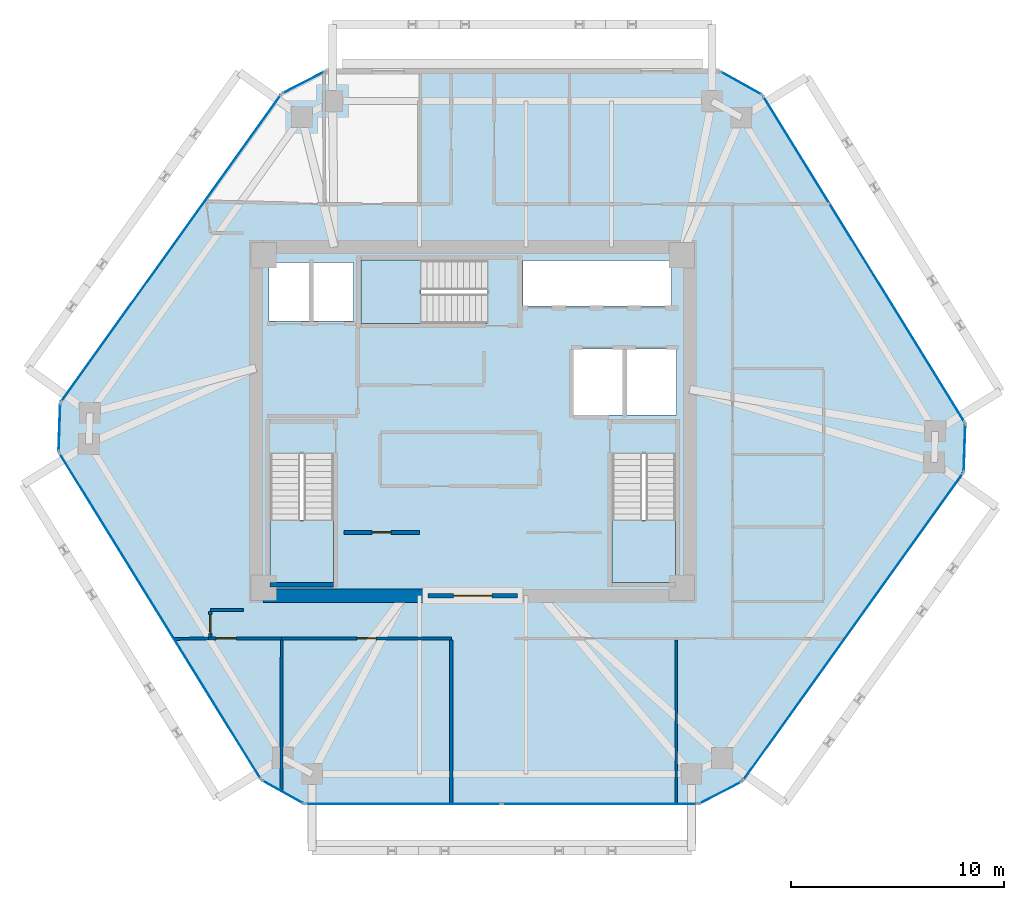
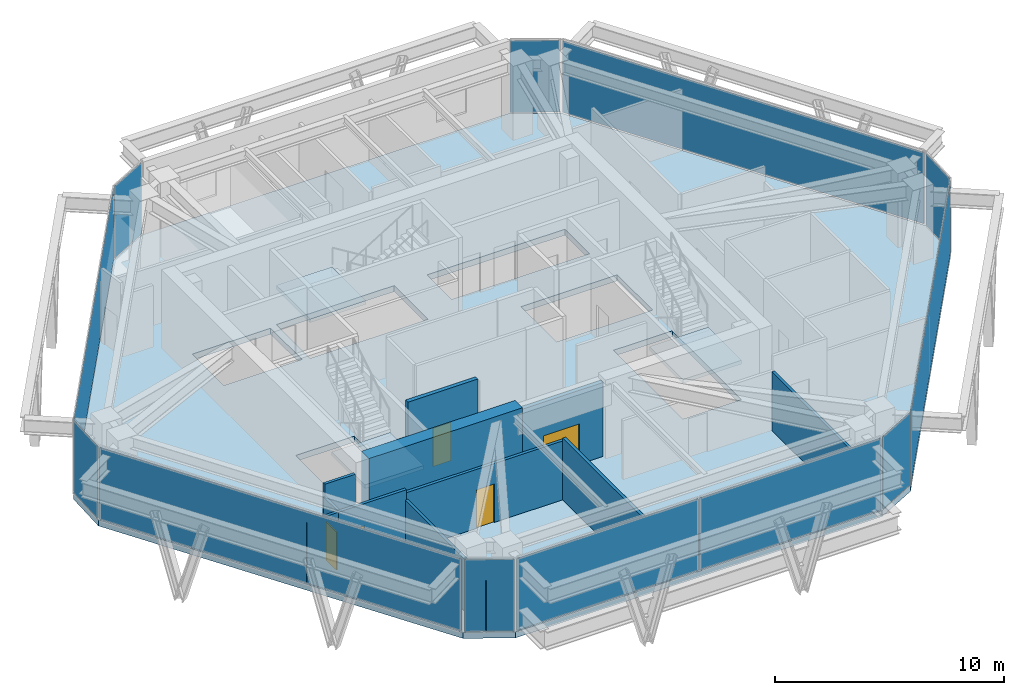
# One storey, part 7 of 11: 12 plates, 12 walls, 5 doors, 4 slabs, 5 openings, 14 elements without a shape of their own.
"""IFC4 building model written with IfcOpenShell, lengths in metres."""

from ifc_helpers import new_model, si_unit, direction, frame, frame_2d, origin, origin_2d, place, context, subcontext, project, spatial, polyline, rectangle, outline, extrude, source, transform, mapped, material, layer, layer_set, type_object, type_shapes, element, fill, aggregate, save


model = new_model("IFC4")

# Units and contexts
model_context = context("Model", 3, precision=1e-05, world=origin(), true_north=direction((0.0, 1.0)))
body_context = subcontext(model_context, "Body", "Model", "MODEL_VIEW")
ifc_project = project(units=[si_unit("LENGTHUNIT", "METRE"), si_unit("AREAUNIT", "SQUARE_METRE"), si_unit("VOLUMEUNIT", "CUBIC_METRE"), si_unit("PLANEANGLEUNIT", "RADIAN"), si_unit("MASSUNIT", "GRAM", prefix="KILO")], contexts=[model_context])

# Site, building, storey
site_placement = place(None, origin())
site = spatial("IfcSite", under=ifc_project, at=site_placement, CompositionType="ELEMENT")
building_placement = place(site_placement, origin())
building = spatial("IfcBuilding", under=site, at=building_placement, Name="Durnholm Broadcast Tower", CompositionType="ELEMENT")
storey_placement = place(building_placement, frame((0.0, 0.0, 155.10009765625)))
storey = spatial("IfcBuildingStorey", under=building, at=storey_placement, Name="L42", CompositionType="ELEMENT", Elevation=155.10009765625)

# Slab
ifc_material_1 = material(Name="Concrete C50/60", Category="concrete")
ifc_layer_1 = layer(ifc_material_1, 0.320068359375)
ifc_layer_set_1 = layer_set([ifc_layer_1], Name="Concrete C50/60")
slab_type_1 = type_object("IfcSlabType", Name="SLAB-FLR-320", PredefinedType="FLOOR", material=ifc_layer_set_1)
slab_1_placement = place(storey_placement, frame((0.0, 0.0, -0.320068359375)))
element("IfcSlab", 1, at=slab_1_placement, inside=storey, type_object=slab_type_1, Name="L42 structural floor slab", PredefinedType="FLOOR", context=body_context, shape_type="SweptSolid", body=[
    extrude(outline(polyline([(-9.912353515625, -16.822021484375), (-7.9033203125, -17.94189453125), (10.59521484375, -17.94189453125), (12.64111328125, -16.890625), (23.022705078125, -2.390380859375), (23.1005859375, -0.091552734375), (13.59033203125, 15.2978515625), (11.581298828125, 16.41796875), (-6.917236328125, 16.41796875), (-8.962890625, 15.36669921875), (-19.3447265625, 0.8662109375), (-19.422607421875, -1.432373046875), (-9.912353515625, -16.822021484375)]), holes=[polyline([(-6.5400390625, -1.5), (-9.5, -1.5), (-9.5, -7.550048828125), (-6.5400390625, -7.550048828125), (-6.5400390625, -1.5)]), polyline([(9.5, -7.550048828125), (9.5, -1.5), (6.5400390625, -1.5), (6.5400390625, -7.550048828125), (9.5, -7.550048828125)]), polyline([(9.550048828125, 3.39990234375), (4.699951171875, 3.39990234375), (4.699951171875, 0.300048828125), (9.550048828125, 0.300048828125), (9.550048828125, 3.39990234375)]), polyline([(-9.550048828125, 7.449951171875), (-9.550048828125, 4.699951171875), (-5.60009765625, 4.699951171875), (-5.60009765625, 7.449951171875), (-9.550048828125, 7.449951171875)]), polyline([(-5.25, 4.60009765625), (0.699951171875, 4.60009765625), (0.699951171875, 7.56005859375), (-5.25, 7.56005859375), (-5.25, 4.60009765625)]), polyline([(9.31005859375, 7.550048828125), (2.35009765625, 7.550048828125), (2.35009765625, 5.39990234375), (9.31005859375, 5.39990234375), (9.31005859375, 7.550048828125)])]), origin(), (0.0, 0.0, 1.0), 0.320068359375),
])

# Stair, slab
stair_type = type_object("IfcStairType", Name="STAIR-DL-24R1750", PredefinedType="HALF_TURN_STAIR", material=ifc_material_1)
stair_1_placement = place(storey_placement, origin())
stair_1 = element("IfcStair", 2, at=stair_1_placement, inside=storey, type_object=stair_type, Name="L42 ST-1", PredefinedType="HALF_TURN_STAIR")
ifc_layer_2 = layer(ifc_material_1, 0.199951171875)
ifc_layer_set_2 = layer_set([ifc_layer_2], Name="Concrete C50/60")
slab_type_2 = type_object("IfcSlabType", Name="SLAB-LND-200", PredefinedType="LANDING", material=ifc_layer_set_2)
slab_2_placement = place(storey_placement, frame((0.0, 0.0, 1.89990234375)))
slab_2 = element("IfcSlab", 3, at=slab_2_placement, type_object=slab_type_2, Name="ST-1 landing 1", PredefinedType="LANDING", context=body_context, shape_type="SweptSolid", body=[
    extrude(outline(polyline([(-9.5, -4.635009765625), (-9.5, -7.550048828125), (-6.5400390625, -7.550048828125), (-6.5400390625, -4.635009765625), (-9.5, -4.635009765625)])), origin(), (0.0, 0.0, 1.0), 0.199951171875),
])
aggregate(stair_1, [slab_2])

stair_2_placement = place(storey_placement, origin())
stair_2 = element("IfcStair", 4, at=stair_2_placement, inside=storey, type_object=stair_type, Name="L42 ST-2", PredefinedType="HALF_TURN_STAIR")
slab_3_placement = place(storey_placement, frame((0.0, 0.0, 1.89990234375)))
slab_3 = element("IfcSlab", 5, at=slab_3_placement, type_object=slab_type_2, Name="ST-2 landing 1", PredefinedType="LANDING", context=body_context, shape_type="SweptSolid", body=[
    extrude(outline(polyline([(6.5400390625, -4.635009765625), (6.5400390625, -7.550048828125), (9.5, -7.550048828125), (9.5, -4.635009765625), (6.5400390625, -4.635009765625)])), origin(), (0.0, 0.0, 1.0), 0.199951171875),
])
aggregate(stair_2, [slab_3])

stair_3_placement = place(storey_placement, origin())
stair_3 = element("IfcStair", 6, at=stair_3_placement, inside=storey, type_object=stair_type, Name="L42 ST-3", PredefinedType="HALF_TURN_STAIR")
slab_4_placement = place(storey_placement, frame((0.0, 0.0, 1.89990234375)))
slab_4 = element("IfcSlab", 7, at=slab_4_placement, type_object=slab_type_2, Name="ST-3 landing 1", PredefinedType="LANDING", context=body_context, shape_type="SweptSolid", body=[
    extrude(outline(polyline([(-2.43505859375, 7.56005859375), (-5.25, 7.56005859375), (-5.25, 4.60009765625), (-2.43505859375, 4.60009765625), (-2.43505859375, 7.56005859375)])), origin(), (0.0, 0.0, 1.0), 0.199951171875),
])
aggregate(stair_3, [slab_4])

# Curtain wall, plate
ifc_material_2 = material(Name="Aluminium and Solar Control IGU", Category="aluminium")
ifc_layer_3 = layer(ifc_material_2, 0.1650390625)
ifc_layer_set_3 = layer_set([ifc_layer_3], Name="Aluminium and Solar Control IGU")
curtain_wall_type_1 = type_object("IfcCurtainWallType", Name="CW-SYS-5", PredefinedType="NOTDEFINED", material=ifc_layer_set_3)
curtain_wall_1_placement = place(storey_placement, origin())
curtain_wall_1 = element("IfcCurtainWall", 8, at=curtain_wall_1_placement, inside=storey, type_object=curtain_wall_type_1, Name="L42 curtain wall CW-CORNER CW-L42-CRN-01", PredefinedType="NOTDEFINED")
ifc_material_3 = material(Name="Low-E Laminated Insulating Glass", Category="glass")
ifc_layer_4 = layer(ifc_material_3, 0.030029296875)
ifc_layer_set_4 = layer_set([ifc_layer_4], Name="Low-E Laminated Insulating Glass")
plate_type_1 = type_object("IfcPlateType", Name="CW-SYS-5-PNL", PredefinedType="CURTAIN_PANEL", material=ifc_layer_set_4)
shared_shape_1 = source(origin(), body_context, "Body", "SweptSolid", [
    extrude(rectangle(XDim=2.169921875, YDim=0.030029296875, at=origin_2d()), origin(), (0.0, 0.0, 1.0), 3.830078125),
])
plate_1_placement = place(storey_placement, frame((-19.3837890625, -0.282958984375, 0.06494140625), z_axis=(0.0, 0.0, 1.0), x_axis=(0.033912704699, 0.999424798802, 0.0)))
plate_1 = element("IfcPlate", 9, at=plate_1_placement, type_object=plate_type_1, Name="CW-CORNER panel 1.1", PredefinedType="CURTAIN_PANEL", context=body_context, shape_type="MappedRepresentation", body=[
    mapped(shared_shape_1, transform((0.0, 0.0, 0.0), x_axis=(1.0, 0.0, 0.0), y_axis=(0.0, 1.0, 0.0), z_axis=(0.0, 0.0, 1.0), scale=1.0)),
])
aggregate(curtain_wall_1, [plate_1])

curtain_wall_2_placement = place(storey_placement, origin())
curtain_wall_2 = element("IfcCurtainWall", 10, at=curtain_wall_2_placement, inside=storey, type_object=curtain_wall_type_1, Name="L42 curtain wall CW-CORNER CW-L42-CRN-03", PredefinedType="NOTDEFINED")
plate_2_placement = place(storey_placement, frame((-7.940185546875, 15.892333984375, 0.06494140625), z_axis=(0.0, 0.0, 1.0), x_axis=(0.889424679545, 0.457081764476, 0.0)))
plate_2 = element("IfcPlate", 11, at=plate_2_placement, type_object=plate_type_1, Name="CW-CORNER panel 1.1", PredefinedType="CURTAIN_PANEL", context=body_context, shape_type="MappedRepresentation", body=[
    mapped(shared_shape_1, transform((0.0, 0.0, 0.0), x_axis=(1.0, 0.0, 0.0), y_axis=(0.0, 1.0, 0.0), z_axis=(0.0, 0.0, 1.0), scale=1.0)),
])
aggregate(curtain_wall_2, [plate_2])

curtain_wall_3_placement = place(storey_placement, origin())
curtain_wall_3 = element("IfcCurtainWall", 12, at=curtain_wall_3_placement, inside=storey, type_object=curtain_wall_type_1, Name="L42 curtain wall CW-CORNER CW-L42-CRN-07", PredefinedType="NOTDEFINED")
plate_3_placement = place(storey_placement, frame((23.061767578125, -1.240966796875, 0.06494140625), z_axis=(0.0, 0.0, 1.0), x_axis=(-0.033912704699, -0.999424798802, 0.0)))
plate_3 = element("IfcPlate", 13, at=plate_3_placement, type_object=plate_type_1, Name="CW-CORNER panel 1.1", PredefinedType="CURTAIN_PANEL", context=body_context, shape_type="MappedRepresentation", body=[
    mapped(shared_shape_1, transform((0.0, 0.0, 0.0), x_axis=(1.0, 0.0, 0.0), y_axis=(0.0, 1.0, 0.0), z_axis=(0.0, 0.0, 1.0), scale=1.0)),
])
aggregate(curtain_wall_3, [plate_3])

curtain_wall_4_placement = place(storey_placement, origin())
curtain_wall_4 = element("IfcCurtainWall", 14, at=curtain_wall_4_placement, inside=storey, type_object=curtain_wall_type_1, Name="L42 curtain wall CW-CORNER CW-L42-CRN-09", PredefinedType="NOTDEFINED")
plate_4_placement = place(storey_placement, frame((11.6181640625, -17.416259765625, 0.06494140625), z_axis=(0.0, 0.0, 1.0), x_axis=(-0.889424679545, -0.457081764476, 0.0)))
plate_4 = element("IfcPlate", 15, at=plate_4_placement, type_object=plate_type_1, Name="CW-CORNER panel 1.1", PredefinedType="CURTAIN_PANEL", context=body_context, shape_type="MappedRepresentation", body=[
    mapped(shared_shape_1, transform((0.0, 0.0, 0.0), x_axis=(1.0, 0.0, 0.0), y_axis=(0.0, 1.0, 0.0), z_axis=(0.0, 0.0, 1.0), scale=1.0)),
])
aggregate(curtain_wall_4, [plate_4])

ifc_layer_5 = layer(ifc_material_2, 0.219970703125)
ifc_layer_set_5 = layer_set([ifc_layer_5], Name="Aluminium and Solar Control IGU")
curtain_wall_type_2 = type_object("IfcCurtainWallType", Name="CW-SYS-6", PredefinedType="NOTDEFINED", material=ifc_layer_set_5)
curtain_wall_5_placement = place(storey_placement, origin())
curtain_wall_5 = element("IfcCurtainWall", 16, at=curtain_wall_5_placement, inside=storey, type_object=curtain_wall_type_2, Name="L42 curtain wall CW-AMENITY CW-L42-F02", PredefinedType="NOTDEFINED")
ifc_layer_6 = layer(ifc_material_3, 0.0380859375)
ifc_layer_set_6 = layer_set([ifc_layer_6], Name="Low-E Laminated Insulating Glass")
plate_type_2 = type_object("IfcPlateType", Name="CW-SYS-6-PNL", PredefinedType="CURTAIN_PANEL", material=ifc_layer_set_6)
shared_shape_2 = source(origin(), body_context, "Body", "SweptSolid", [
    extrude(rectangle(XDim=17.68359375, YDim=0.0380859375, at=origin_2d()), origin(), (0.0, 0.0, 1.0), 3.81005859375),
])
plate_5_placement = place(storey_placement, frame((-14.15380859375, 8.116455078125, 0.074951171875), z_axis=(0.0, 0.0, 1.0), x_axis=(0.582139030549, 0.813089262696, 0.0)))
plate_5 = element("IfcPlate", 17, at=plate_5_placement, type_object=plate_type_2, Name="CW-AMENITY panel 1.1", PredefinedType="CURTAIN_PANEL", context=body_context, shape_type="MappedRepresentation", body=[
    mapped(shared_shape_2, transform((0.0, 0.0, 0.0), x_axis=(1.0, 0.0, 0.0), y_axis=(0.0, 1.0, 0.0), z_axis=(0.0, 0.0, 1.0), scale=1.0)),
])
aggregate(curtain_wall_5, [plate_5])

curtain_wall_6_placement = place(storey_placement, origin())
curtain_wall_6 = element("IfcCurtainWall", 18, at=curtain_wall_6_placement, inside=storey, type_object=curtain_wall_type_2, Name="L42 curtain wall CW-AMENITY CW-L42-F08", PredefinedType="NOTDEFINED")
plate_6_placement = place(storey_placement, frame((17.831787109375, -9.640380859375, 0.074951171875), z_axis=(0.0, 0.0, 1.0), x_axis=(-0.582139030549, -0.813089262696, 0.0)))
plate_6 = element("IfcPlate", 19, at=plate_6_placement, type_object=plate_type_2, Name="CW-AMENITY panel 1.1", PredefinedType="CURTAIN_PANEL", context=body_context, shape_type="MappedRepresentation", body=[
    mapped(shared_shape_2, transform((0.0, 0.0, 0.0), x_axis=(1.0, 0.0, 0.0), y_axis=(0.0, 1.0, 0.0), z_axis=(0.0, 0.0, 1.0), scale=1.0)),
])
aggregate(curtain_wall_6, [plate_6])

curtain_wall_7_placement = place(storey_placement, origin())
curtain_wall_7 = element("IfcCurtainWall", 20, at=curtain_wall_7_placement, inside=storey, type_object=curtain_wall_type_1, Name="L42 curtain wall CW-CORNER CW-L42-CRN-05", PredefinedType="NOTDEFINED")
shared_shape_3 = source(origin(), body_context, "Body", "SweptSolid", [
    extrude(rectangle(XDim=2.170166015625, YDim=0.030029296875, at=origin_2d()), origin(), (0.0, 0.0, 1.0), 3.830078125),
])
type_shapes(plate_type_1, [shared_shape_1, shared_shape_3])
plate_7_placement = place(storey_placement, frame((12.5859375, 15.85791015625, 0.06494140625), z_axis=(0.0, 0.0, 1.0), x_axis=(0.873409751271, -0.486986043316, 0.0)))
plate_7 = element("IfcPlate", 21, at=plate_7_placement, type_object=plate_type_1, Name="CW-CORNER panel 1.1", PredefinedType="CURTAIN_PANEL", context=body_context, shape_type="MappedRepresentation", body=[
    mapped(shared_shape_3, transform((0.0, 0.0, 0.0), x_axis=(1.0, 0.0, 0.0), y_axis=(0.0, 1.0, 0.0), z_axis=(0.0, 0.0, 1.0), scale=1.0)),
])
aggregate(curtain_wall_7, [plate_7])

curtain_wall_8_placement = place(storey_placement, origin())
curtain_wall_8 = element("IfcCurtainWall", 22, at=curtain_wall_8_placement, inside=storey, type_object=curtain_wall_type_1, Name="L42 curtain wall CW-CORNER CW-L42-CRN-11", PredefinedType="NOTDEFINED")
plate_8_placement = place(storey_placement, frame((-8.907958984375, -17.3818359375, 0.06494140625), z_axis=(0.0, 0.0, 1.0), x_axis=(-0.873409751271, 0.486986043316, 0.0)))
plate_8 = element("IfcPlate", 23, at=plate_8_placement, type_object=plate_type_1, Name="CW-CORNER panel 1.1", PredefinedType="CURTAIN_PANEL", context=body_context, shape_type="MappedRepresentation", body=[
    mapped(shared_shape_3, transform((0.0, 0.0, 0.0), x_axis=(1.0, 0.0, 0.0), y_axis=(0.0, 1.0, 0.0), z_axis=(0.0, 0.0, 1.0), scale=1.0)),
])
aggregate(curtain_wall_8, [plate_8])

curtain_wall_9_placement = place(storey_placement, origin())
curtain_wall_9 = element("IfcCurtainWall", 24, at=curtain_wall_9_placement, inside=storey, type_object=curtain_wall_type_2, Name="L42 curtain wall CW-AMENITY CW-L42-F06", PredefinedType="NOTDEFINED")
shared_shape_4 = source(origin(), body_context, "Body", "SweptSolid", [
    extrude(rectangle(XDim=17.94091796875, YDim=0.0380859375, at=origin_2d()), origin(), (0.0, 0.0, 1.0), 3.81005859375),
])
plate_9_placement = place(storey_placement, frame((18.345458984375, 7.603271484375, 0.074951171875), z_axis=(0.0, 0.0, 1.0), x_axis=(0.525697750452, -0.850671426092, 0.0)))
plate_9 = element("IfcPlate", 25, at=plate_9_placement, type_object=plate_type_2, Name="CW-AMENITY panel 1.1", PredefinedType="CURTAIN_PANEL", context=body_context, shape_type="MappedRepresentation", body=[
    mapped(shared_shape_4, transform((0.0, 0.0, 0.0), x_axis=(1.0, 0.0, 0.0), y_axis=(0.0, 1.0, 0.0), z_axis=(0.0, 0.0, 1.0), scale=1.0)),
])
aggregate(curtain_wall_9, [plate_9])

curtain_wall_10_placement = place(storey_placement, origin())
curtain_wall_10 = element("IfcCurtainWall", 26, at=curtain_wall_10_placement, inside=storey, type_object=curtain_wall_type_2, Name="L42 curtain wall CW-AMENITY CW-L42-F12", PredefinedType="NOTDEFINED")
plate_10_placement = place(storey_placement, frame((-14.66748046875, -9.127197265625, 0.074951171875), z_axis=(0.0, 0.0, 1.0), x_axis=(-0.525697750452, 0.850671426092, 0.0)))
plate_10 = element("IfcPlate", 27, at=plate_10_placement, type_object=plate_type_2, Name="CW-AMENITY panel 1.1", PredefinedType="CURTAIN_PANEL", context=body_context, shape_type="MappedRepresentation", body=[
    mapped(shared_shape_4, transform((0.0, 0.0, 0.0), x_axis=(1.0, 0.0, 0.0), y_axis=(0.0, 1.0, 0.0), z_axis=(0.0, 0.0, 1.0), scale=1.0)),
])
aggregate(curtain_wall_10, [plate_10])

# Curtain wall, plates
curtain_wall_11_placement = place(storey_placement, origin())
curtain_wall_11 = element("IfcCurtainWall", 28, at=curtain_wall_11_placement, inside=storey, type_object=curtain_wall_type_2, Name="L42 curtain wall CW-AMENITY CW-L42-F10", PredefinedType="NOTDEFINED")
shared_shape_5 = source(origin(), body_context, "Body", "SweptSolid", [
    extrude(rectangle(XDim=9.136962890625, YDim=0.0380859375, at=origin_2d()), origin(), (0.0, 0.0, 1.0), 3.81005859375),
])
type_shapes(plate_type_2, [shared_shape_2, shared_shape_4, shared_shape_5])
plate_11_placement = place(storey_placement, frame((5.951904296875, -17.94189453125, 0.074951171875), z_axis=(0.0, 0.0, 1.0), x_axis=(-1.0, 0.0, 0.0)))
plate_11 = element("IfcPlate", 29, at=plate_11_placement, type_object=plate_type_2, Name="CW-AMENITY panel 1.1", PredefinedType="CURTAIN_PANEL", context=body_context, shape_type="MappedRepresentation", body=[
    mapped(shared_shape_5, transform((0.0, 0.0, 0.0), x_axis=(1.0, 0.0, 0.0), y_axis=(0.0, 1.0, 0.0), z_axis=(0.0, 0.0, 1.0), scale=1.0)),
])
plate_12_placement = place(storey_placement, frame((-3.260009765625, -17.94189453125, 0.074951171875), z_axis=(0.0, 0.0, 1.0), x_axis=(-1.0, 0.0, 0.0)))
plate_12 = element("IfcPlate", 30, at=plate_12_placement, type_object=plate_type_2, Name="CW-AMENITY panel 2.1", PredefinedType="CURTAIN_PANEL", context=body_context, shape_type="MappedRepresentation", body=[
    mapped(shared_shape_5, transform((0.0, 0.0, 0.0), x_axis=(1.0, 0.0, 0.0), y_axis=(0.0, 1.0, 0.0), z_axis=(0.0, 0.0, 1.0), scale=1.0)),
])
aggregate(curtain_wall_11, [plate_11, plate_12])

# Wall
ifc_material_4 = material(Name="Concrete C70/85", Category="concrete")
ifc_layer_7 = layer(ifc_material_4, 0.64990234375)
ifc_layer_set_7 = layer_set([ifc_layer_7], Name="Concrete C70/85")
wall_type_1 = type_object("IfcWallType", Name="WALL-CW-650", PredefinedType="SHEAR", material=ifc_layer_set_7)
wall_1_placement = place(storey_placement, frame((-9.85009765625, -8.175048828125, 0.0), z_axis=(0.0, 0.0, 1.0), x_axis=(1.0, 0.0, 0.0)))
element("IfcWall", 31, at=wall_1_placement, inside=storey, type_object=wall_type_1, Name="L42 central core shear wall CW-S1", PredefinedType="SHEAR", context=body_context, shape_type="SweptSolid", body=[
    extrude(rectangle(XDim=7.75, YDim=0.64990234375, at=frame_2d((3.875, 0.0))), origin(), (0.0, 0.0, 1.0), 4.199951171875),
])

# Wall, opening, door
ifc_material_5 = material(Name="Fire-Rated Gypsum Shaftwall", Category="concrete")
ifc_layer_8 = layer(ifc_material_5, 0.199951171875)
ifc_layer_set_8 = layer_set([ifc_layer_8], Name="Fire-Rated Gypsum Shaftwall")
wall_type_2 = type_object("IfcWallType", Name="WALL-LOB-200", PredefinedType="SOLIDWALL", material=ifc_layer_set_8)
wall_2_placement = place(storey_placement, frame((-2.10009765625, -8.175048828125, 0.0), z_axis=(0.0, 0.0, 1.0), x_axis=(1.0, 0.0, 0.0)))
wall_2 = element("IfcWall", 32, at=wall_2_placement, inside=storey, type_object=wall_type_2, Name="L42 south core lobby fire screen", PredefinedType="SOLIDWALL", context=body_context, shape_type="SweptSolid", body=[
    extrude(rectangle(XDim=4.2001953125, YDim=0.199951171875, at=frame_2d((2.10009765625, 0.0))), origin(), (0.0, 0.0, 1.0), 3.94482421875),
])
opening_1_placement = place(wall_2_placement, frame((1.199951171875, 0.0, 0.0)))
opening_1 = element("IfcOpeningElement", 33, at=opening_1_placement, cuts=wall_2, Name="Opening DP-60", PredefinedType="OPENING", context=body_context, shape_type="SweptSolid", body=[
    extrude(rectangle(XDim=1.800048828125, YDim=2.14990234375, at=frame_2d((0.89990234375, 1.074951171875))), frame((0.0, 0.10986328125, 0.0), z_axis=(0.0, -1.0, 0.0), x_axis=(1.0, 0.0, 0.0)), (0.0, 0.0, 1.0), 0.219970703125),
])
ifc_material_6 = material(Name="Fire-Rated Double Corridor Door", Category="steel")
ifc_layer_9 = layer(ifc_material_6, 0.050048828125)
ifc_layer_set_9 = layer_set([ifc_layer_9], Name="Fire-Rated Double Corridor Door")
door_type_1 = type_object("IfcDoorType", Name="DOOR-PAIR-FD60", OperationType="DOUBLE_DOOR_SINGLE_SWING", PredefinedType="DOOR", material=ifc_layer_set_9)
shared_shape_6 = source(origin(), body_context, "Body", "SweptSolid", [
    extrude(rectangle(XDim=1.800048828125, YDim=2.14990234375, at=frame_2d((0.89990234375, 1.074951171875))), frame((0.0, 0.02490234375, 0.0), z_axis=(0.0, -1.0, 0.0), x_axis=(1.0, 0.0, 0.0)), (0.0, 0.0, 1.0), 0.050048828125),
])
type_shapes(door_type_1, [shared_shape_6])
door_1_placement = place(opening_1_placement, origin())
door_1 = element("IfcDoor", 34, at=door_1_placement, inside=storey, type_object=door_type_1, Name="L42 south core lobby double fire door", OperationType="DOUBLE_DOOR_SINGLE_SWING", OverallHeight=2.14990234375, OverallWidth=1.800048828125, PredefinedType="DOOR", context=body_context, shape_type="MappedRepresentation", body=[
    mapped(shared_shape_6, transform((0.0, 0.0, 0.0), x_axis=(1.0, 0.0, 0.0), y_axis=(0.0, 1.0, 0.0), z_axis=(0.0, 0.0, 1.0), scale=1.0)),
])
fill(opening_1, door_1)

wall_3_placement = place(storey_placement, frame((-6.0400390625, -5.2099609375, 0.0), z_axis=(0.0, 0.0, 1.0), x_axis=(1.0, 0.0, 0.0)))
wall_3 = element("IfcWall", 35, at=wall_3_placement, inside=storey, type_object=wall_type_2, Name="L42 Broadcast Signal Rack Room corridor partition", PredefinedType="SOLIDWALL", context=body_context, shape_type="SweptSolid", body=[
    extrude(rectangle(XDim=3.530029296875, YDim=0.199951171875, at=frame_2d((1.76513671875, 0.0))), origin(), (0.0, 0.0, 1.0), 3.94482421875),
])
opening_2_placement = place(wall_3_placement, frame((1.31494140625, 0.0, 0.0)))
opening_2 = element("IfcOpeningElement", 36, at=opening_2_placement, cuts=wall_3, Name="Opening DC-60L", PredefinedType="OPENING", context=body_context, shape_type="SweptSolid", body=[
    extrude(rectangle(XDim=0.89990234375, YDim=2.050048828125, at=frame_2d((0.449951171875, 1.02490234375))), frame((0.0, 0.10986328125, 0.0), z_axis=(0.0, -1.0, 0.0), x_axis=(1.0, 0.0, 0.0)), (0.0, 0.0, 1.0), 0.219970703125),
])
ifc_material_7 = material(Name="Fire-Rated Core Service Door", Category="steel")
ifc_layer_10 = layer(ifc_material_7, 0.050048828125)
ifc_layer_set_10 = layer_set([ifc_layer_10], Name="Fire-Rated Core Service Door")
door_type_2 = type_object("IfcDoorType", Name="DOOR-CORE-FD60-L", OperationType="NOTDEFINED", PredefinedType="DOOR", material=ifc_layer_set_10)
shared_shape_7 = source(origin(), body_context, "Body", "SweptSolid", [
    extrude(rectangle(XDim=0.89990234375, YDim=2.050048828125, at=frame_2d((0.449951171875, 1.02490234375))), frame((0.0, 0.02490234375, 0.0), z_axis=(0.0, -1.0, 0.0), x_axis=(1.0, 0.0, 0.0)), (0.0, 0.0, 1.0), 0.050048828125),
])
type_shapes(door_type_2, [shared_shape_7])
door_2_placement = place(opening_2_placement, origin())
door_2 = element("IfcDoor", 37, at=door_2_placement, inside=storey, type_object=door_type_2, Name="L42 Broadcast Signal Rack Room entrance door", OperationType="SINGLE_SWING_LEFT", OverallHeight=2.050048828125, OverallWidth=0.89990234375, PredefinedType="DOOR", context=body_context, shape_type="MappedRepresentation", body=[
    mapped(shared_shape_7, transform((0.0, 0.0, 0.0), x_axis=(1.0, 0.0, 0.0), y_axis=(0.0, 1.0, 0.0), z_axis=(0.0, 0.0, 1.0), scale=1.0)),
])
fill(opening_2, door_2)

# Walls
ifc_material_8 = material(Name="Gypsum Metal Stud Partition", Category="concrete")
ifc_layer_11 = layer(ifc_material_8, 0.135009765625)
ifc_layer_set_11 = layer_set([ifc_layer_11], Name="Gypsum Metal Stud Partition")
wall_type_3 = type_object("IfcWallType", Name="WALL-PART-135", PredefinedType="PARTITIONING", material=ifc_layer_set_11)
wall_4_placement = place(storey_placement, frame((-8.960205078125, -10.259033203125, 0.0), z_axis=(0.0, 0.0, 1.0), x_axis=(-0.002723001073, -0.999996292626, 0.0)))
element("IfcWall", 38, at=wall_4_placement, inside=storey, type_object=wall_type_3, Name="L42 room dividing partition 14.15", PredefinedType="PARTITIONING", context=body_context, shape_type="SweptSolid", body=[
    extrude(rectangle(XDim=7.0830078125, YDim=0.135009765625, at=frame_2d((3.54150390625, 0.0))), origin(), (0.0, 0.0, 1.0), 2.77685546875),
])
wall_5_placement = place(storey_placement, frame((-14.00390625, -10.200927734375, 0.0), z_axis=(0.0, 0.0, 1.0), x_axis=(0.999923084603, 0.012402615782, 0.0)))
element("IfcWall", 39, at=wall_5_placement, inside=storey, type_object=wall_type_3, Name="L42 room dividing partition 14.18", PredefinedType="PARTITIONING", context=body_context, shape_type="SweptSolid", body=[
    extrude(rectangle(XDim=1.6142578125, YDim=0.135009765625, at=frame_2d((0.80712890625, 0.0))), origin(), (0.0, 0.0, 1.0), 3.298583984375),
])
wall_6_placement = place(storey_placement, frame((9.5400390625, -10.259033203125, 0.0), z_axis=(0.0, 0.0, 1.0), x_axis=(0.0, -1.0, 0.0)))
element("IfcWall", 40, at=wall_6_placement, inside=storey, type_object=wall_type_3, Name="L42 room dividing partition 16.17", PredefinedType="PARTITIONING", context=body_context, shape_type="SweptSolid", body=[
    extrude(rectangle(XDim=7.682861328125, YDim=0.135009765625, at=frame_2d((3.84130859375, 0.0))), origin(), (0.0, 0.0, 1.0), 3.1416015625),
])

# Wall, opening, door
ifc_material_9 = material(Name="Acoustic Gypsum Stud Partition", Category="concrete")
ifc_layer_12 = layer(ifc_material_9, 0.14990234375)
ifc_layer_set_12 = layer_set([ifc_layer_12], Name="Acoustic Gypsum Stud Partition")
wall_type_4 = type_object("IfcWallType", Name="WALL-PART-150", PredefinedType="PARTITIONING", material=ifc_layer_set_12)
wall_7_placement = place(storey_placement, frame((-12.389892578125, -10.179931640625, 0.0), z_axis=(0.0, 0.0, 1.0), x_axis=(1.0, 0.0, 0.0)))
wall_7 = element("IfcWall", 41, at=wall_7_placement, inside=storey, type_object=wall_type_4, Name="L42 Sky Barista Kitchen corridor partition", PredefinedType="PARTITIONING", context=body_context, shape_type="SweptSolid", body=[
    extrude(rectangle(XDim=3.429931640625, YDim=0.14990234375, at=frame_2d((1.71484375, 0.0))), origin(), (0.0, 0.0, 1.0), 3.298583984375),
])
opening_3_placement = place(wall_7_placement, frame((0.35009765625, 0.0, 0.0)))
opening_3 = element("IfcOpeningElement", 42, at=opening_3_placement, cuts=wall_7, Name="Opening DR-95R", PredefinedType="OPENING", context=body_context, shape_type="SweptSolid", body=[
    extrude(rectangle(XDim=0.949951171875, YDim=2.10009765625, at=frame_2d((0.47509765625, 1.050048828125))), frame((0.0, 0.0849609375, 0.0), z_axis=(0.0, -1.0, 0.0), x_axis=(1.0, 0.0, 0.0)), (0.0, 0.0, 1.0), 0.169921875),
])
ifc_material_10 = material(Name="Acoustic Oak Veneer Timber Door", Category="wood")
ifc_layer_13 = layer(ifc_material_10, 0.050048828125)
ifc_layer_set_13 = layer_set([ifc_layer_13], Name="Acoustic Oak Veneer Timber Door")
door_type_3 = type_object("IfcDoorType", Name="DOOR-RM-950R", OperationType="NOTDEFINED", PredefinedType="DOOR", material=ifc_layer_set_13)
shared_shape_8 = source(origin(), body_context, "Body", "SweptSolid", [
    extrude(rectangle(XDim=0.949951171875, YDim=2.10009765625, at=frame_2d((0.47509765625, 1.050048828125))), frame((0.0, 0.02490234375, 0.0), z_axis=(0.0, -1.0, 0.0), x_axis=(1.0, 0.0, 0.0)), (0.0, 0.0, 1.0), 0.050048828125),
])
type_shapes(door_type_3, [shared_shape_8])
door_3_placement = place(opening_3_placement, origin())
door_3 = element("IfcDoor", 43, at=door_3_placement, inside=storey, type_object=door_type_3, Name="L42 Sky Barista Kitchen entrance door", OperationType="SINGLE_SWING_RIGHT", OverallHeight=2.10009765625, OverallWidth=0.949951171875, PredefinedType="DOOR", context=body_context, shape_type="MappedRepresentation", body=[
    mapped(shared_shape_8, transform((0.0, 0.0, 0.0), x_axis=(1.0, 0.0, 0.0), y_axis=(0.0, 1.0, 0.0), z_axis=(0.0, 0.0, 1.0), scale=1.0)),
])
fill(opening_3, door_3)

wall_8_placement = place(storey_placement, frame((-8.9599609375, -10.179931640625, 0.0), z_axis=(0.0, 0.0, 1.0), x_axis=(1.0, 0.0, 0.0)))
wall_8 = element("IfcWall", 44, at=wall_8_placement, inside=storey, type_object=wall_type_4, Name="L42 Sky Lobby 2 Concourse corridor partition", PredefinedType="PARTITIONING", context=body_context, shape_type="SweptSolid", body=[
    extrude(rectangle(XDim=7.949951171875, YDim=0.14990234375, at=frame_2d((3.97509765625, 0.0))), origin(), (0.0, 0.0, 1.0), 3.1416015625),
])
opening_4_placement = place(wall_8_placement, frame((3.52490234375, 0.0, 0.0)))
opening_4 = element("IfcOpeningElement", 45, at=opening_4_placement, cuts=wall_8, Name="Opening DC-60L", PredefinedType="OPENING", context=body_context, shape_type="SweptSolid", body=[
    extrude(rectangle(XDim=0.89990234375, YDim=2.050048828125, at=frame_2d((0.449951171875, 1.02490234375))), frame((0.0, 0.0849609375, 0.0), z_axis=(0.0, -1.0, 0.0), x_axis=(1.0, 0.0, 0.0)), (0.0, 0.0, 1.0), 0.169921875),
])
door_4_placement = place(opening_4_placement, origin())
door_4 = element("IfcDoor", 46, at=door_4_placement, inside=storey, type_object=door_type_2, Name="L42 Sky Lobby 2 Concourse entrance door", OperationType="SINGLE_SWING_LEFT", OverallHeight=2.050048828125, OverallWidth=0.89990234375, PredefinedType="DOOR", context=body_context, shape_type="MappedRepresentation", body=[
    mapped(shared_shape_7, transform((0.0, 0.0, 0.0), x_axis=(1.0, 0.0, 0.0), y_axis=(0.0, 1.0, 0.0), z_axis=(0.0, 0.0, 1.0), scale=1.0)),
])
fill(opening_4, door_4)

# Walls
wall_9_placement = place(storey_placement, frame((-1.010009765625, -10.259033203125, 0.0), z_axis=(0.0, 0.0, 1.0), x_axis=(0.0, -1.0, 0.0)))
element("IfcWall", 47, at=wall_9_placement, inside=storey, type_object=wall_type_4, Name="L42 Sky Lobby 2 Concourse corridor partition", PredefinedType="PARTITIONING", context=body_context, shape_type="SweptSolid", body=[
    extrude(rectangle(XDim=7.682861328125, YDim=0.14990234375, at=frame_2d((3.84130859375, 0.0))), origin(), (0.0, 0.0, 1.0), 3.298583984375),
])
wall_10_placement = place(storey_placement, frame((-10.760009765625, -8.840087890625, 0.0), z_axis=(0.0, 0.0, 1.0), x_axis=(-1.0, 0.0, 0.0)))
element("IfcWall", 48, at=wall_10_placement, inside=storey, type_object=wall_type_4, Name="L42 Town Hall Meeting Room corridor partition", PredefinedType="PARTITIONING", context=body_context, shape_type="SweptSolid", body=[
    extrude(rectangle(XDim=1.550048828125, YDim=0.14990234375, at=frame_2d((0.77490234375, 0.0))), origin(), (0.0, 0.0, 1.0), 3.94482421875),
])

# Wall, opening, door
wall_11_placement = place(storey_placement, frame((-12.31005859375, -8.9189453125, 0.0), z_axis=(0.0, 0.0, 1.0), x_axis=(0.0, -1.0, 0.0)))
wall_11 = element("IfcWall", 49, at=wall_11_placement, inside=storey, type_object=wall_type_4, Name="L42 Town Hall Meeting Room corridor partition", PredefinedType="PARTITIONING", context=body_context, shape_type="SweptSolid", body=[
    extrude(rectangle(XDim=1.18212890625, YDim=0.14990234375, at=frame_2d((0.591064453125, 0.0))), origin(), (0.0, 0.0, 1.0), 3.298583984375),
])
opening_5_placement = place(wall_11_placement, frame((0.14111328125, 0.0, 0.0)))
opening_5 = element("IfcOpeningElement", 50, at=opening_5_placement, cuts=wall_11, Name="Opening DW-90L", PredefinedType="OPENING", context=body_context, shape_type="SweptSolid", body=[
    extrude(rectangle(XDim=0.89990234375, YDim=2.050048828125, at=frame_2d((0.449951171875, 1.02490234375))), frame((0.0, 0.0849609375, 0.0), z_axis=(0.0, -1.0, 0.0), x_axis=(1.0, 0.0, 0.0)), (0.0, 0.0, 1.0), 0.169921875),
])
ifc_material_11 = material(Name="Laminate Restroom Door", Category="steel")
ifc_layer_14 = layer(ifc_material_11, 0.050048828125)
ifc_layer_set_14 = layer_set([ifc_layer_14], Name="Laminate Restroom Door")
door_type_4 = type_object("IfcDoorType", Name="DOOR-WC-900L", OperationType="NOTDEFINED", PredefinedType="DOOR", material=ifc_layer_set_14)
shared_shape_9 = source(origin(), body_context, "Body", "SweptSolid", [
    extrude(rectangle(XDim=0.89990234375, YDim=2.050048828125, at=frame_2d((0.449951171875, 1.02490234375))), frame((0.0, 0.02490234375, 0.0), z_axis=(0.0, -1.0, 0.0), x_axis=(1.0, 0.0, 0.0)), (0.0, 0.0, 1.0), 0.050048828125),
])
type_shapes(door_type_4, [shared_shape_9])
door_5_placement = place(opening_5_placement, origin())
door_5 = element("IfcDoor", 51, at=door_5_placement, inside=storey, type_object=door_type_4, Name="L42 Town Hall Meeting Room entrance door", OperationType="SINGLE_SWING_LEFT", OverallHeight=2.050048828125, OverallWidth=0.89990234375, PredefinedType="DOOR", context=body_context, shape_type="MappedRepresentation", body=[
    mapped(shared_shape_9, transform((0.0, 0.0, 0.0), x_axis=(1.0, 0.0, 0.0), y_axis=(0.0, 1.0, 0.0), z_axis=(0.0, 0.0, 1.0), scale=1.0)),
])
fill(opening_5, door_5)

# Wall
ifc_layer_15 = layer(ifc_material_1, 0.219970703125)
ifc_layer_set_15 = layer_set([ifc_layer_15], Name="Concrete C50/60")
wall_type_5 = type_object("IfcWallType", Name="WALL-SW-220", PredefinedType="SHEAR", material=ifc_layer_set_15)
wall_12_placement = place(storey_placement, frame((-9.5, -7.659912109375, -0.320068359375), z_axis=(0.0, 0.0, 1.0), x_axis=(1.0, 0.0, 0.0)))
element("IfcWall", 52, at=wall_12_placement, inside=storey, type_object=wall_type_5, Name="L42 stair ST-1 structural shaft wall S", PredefinedType="SHEAR", context=body_context, shape_type="SweptSolid", body=[
    extrude(rectangle(XDim=2.9599609375, YDim=0.219970703125, at=frame_2d((1.47998046875, 0.0))), origin(), (0.0, 0.0, 1.0), 4.280029296875),
])

save(model, "model.ifc")
